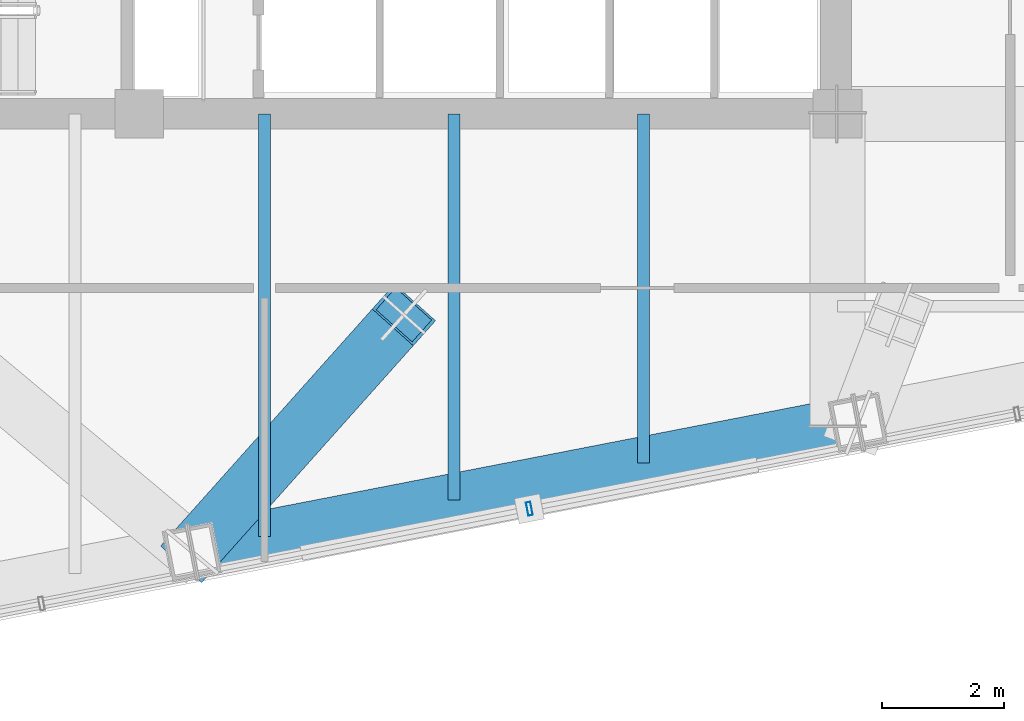
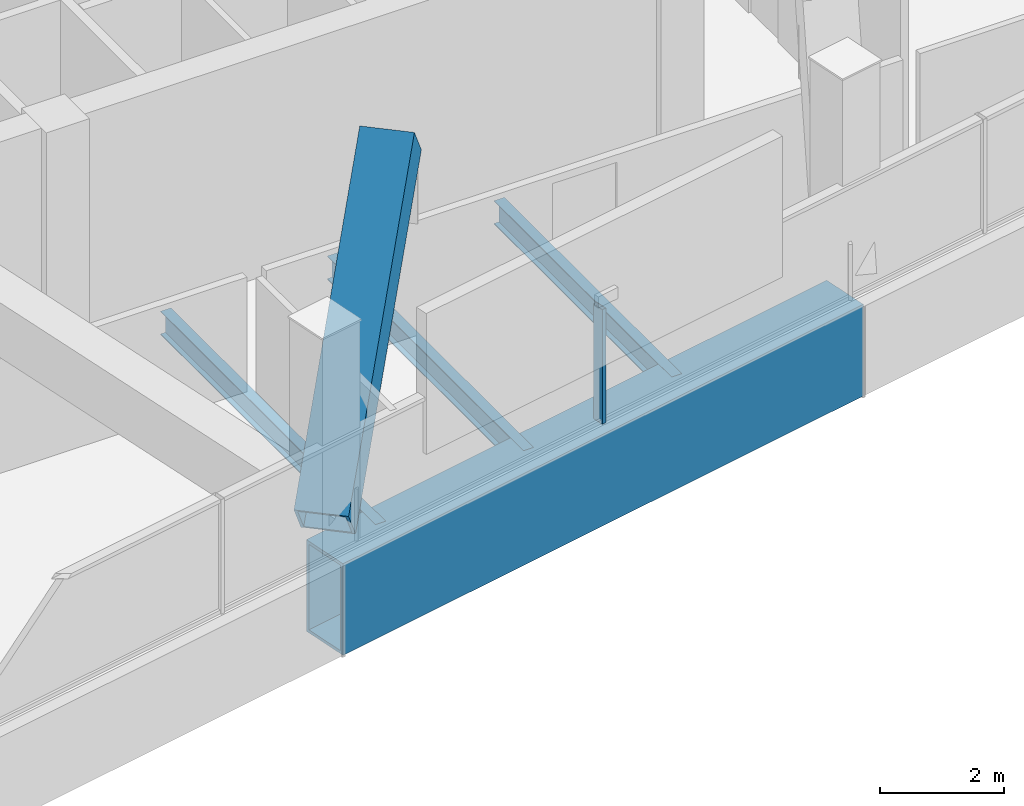
# One storey, part 4 of 26: 4 beams, 2 members, 1 element without a shape of its own.
"""IFC4 building model written with IfcOpenShell, lengths in metres."""

from ifc_helpers import new_model, si_unit, direction, frame, origin, origin_2d, place, context, subcontext, project, spatial, hollow_rectangle, i_section, extrude, material, layer, layer_set, material_profile, profile_set, type_object, element, aggregate, save


model = new_model("IFC4")

# Units and contexts
model_context = context("Model", 3, precision=1e-05, world=origin(), true_north=direction((0.0, 1.0)))
body_context = subcontext(model_context, "Body", "Model", "MODEL_VIEW")
ifc_project = project(units=[si_unit("LENGTHUNIT", "METRE"), si_unit("AREAUNIT", "SQUARE_METRE"), si_unit("VOLUMEUNIT", "CUBIC_METRE"), si_unit("PLANEANGLEUNIT", "RADIAN"), si_unit("MASSUNIT", "GRAM", prefix="KILO")], contexts=[model_context])

# Site, building, storey
site_placement = place(None, origin())
site = spatial("IfcSite", under=ifc_project, at=site_placement, CompositionType="ELEMENT")
building_placement = place(site_placement, origin())
building = spatial("IfcBuilding", under=site, at=building_placement, Name="Qhalaya Broadcast Tower", CompositionType="ELEMENT")
storey_placement = place(building_placement, frame((0.0, 0.0, 140.25)))
storey = spatial("IfcBuildingStorey", under=building, at=storey_placement, Name="L41", CompositionType="ELEMENT", Elevation=140.25)

# Beams
ifc_material_1 = material(Name="Structural Steel ASTM A572 Grade 50", Category="steel")
ifc_material_profile_1 = material_profile(ifc_material_1, hollow_rectangle(XDim=0.89990234375, YDim=1.800048828125, WallThickness=0.06005859375, at=origin_2d()), Name="BOX 900x1800x60")
ifc_profile_set_1 = profile_set([ifc_material_profile_1], Name="Structural Steel ASTM A572 Grade 50")
beam_type_1 = type_object("IfcBeamType", Name="Block Cantilever Transfer Box Girder TG1", PredefinedType="USERDEFINED", material=ifc_profile_set_1)
beam_1_placement = place(storey_placement, frame((-1.183349609375, -15.91845703125, -1.1201171875), z_axis=(0.981623859527, 0.190826094673, 0.0), x_axis=(-0.190826094673, 0.981623859527, 0.0)))
element("IfcBeam", 1, at=beam_1_placement, inside=storey, type_object=beam_type_1, Name="L41 TG1 L41-SPR-02", ObjectType="GIRDER", PredefinedType="USERDEFINED", context=body_context, shape_type="SweptSolid", body=[
    extrude(hollow_rectangle(XDim=0.89990234375, YDim=1.800048828125, WallThickness=0.06005859375, at=origin_2d()), origin(), (0.0, 0.0, 1.0), 11.099853515625),
])
ifc_material_2 = material(Name="Structural Steel ASTM A992 Grade 50", Category="steel")
ifc_material_profile_2 = material_profile(ifc_material_2, i_section(OverallWidth=0.19189453125, OverallDepth=0.462890625, WebThickness=0.010498046875, FlangeThickness=0.017578125, at=origin_2d()), Name="W18X60")
ifc_profile_set_2 = profile_set([ifc_material_profile_2], Name="Structural Steel ASTM A992 Grade 50")
beam_type_2 = type_object("IfcBeamType", Name="Composite Floor Joist J03", PredefinedType="JOIST", material=ifc_profile_set_2)
beam_2_placement = place(storey_placement, frame((0.0, -15.66796875, -0.451416015625), z_axis=(0.0, 1.0, 0.0), x_axis=(-1.0, 0.0, 0.0)))
element("IfcBeam", 2, at=beam_2_placement, inside=storey, type_object=beam_type_2, Name="L41 J03 L41-JNS3-1", PredefinedType="JOIST", context=body_context, shape_type="SweptSolid", body=[
    extrude(i_section(OverallWidth=0.19189453125, OverallDepth=0.462890625, WebThickness=0.010498046875, FlangeThickness=0.017578125, at=origin_2d()), origin(), (0.0, 0.0, 1.0), 6.91796875),
])
beam_3_placement = place(storey_placement, frame((3.10009765625, -15.0654296875, -0.451416015625), z_axis=(0.0, 1.0, 0.0), x_axis=(-1.0, 0.0, 0.0)))
element("IfcBeam", 3, at=beam_3_placement, inside=storey, type_object=beam_type_2, Name="L41 J03 L41-JNS4-1", PredefinedType="JOIST", context=body_context, shape_type="SweptSolid", body=[
    extrude(i_section(OverallWidth=0.19189453125, OverallDepth=0.462890625, WebThickness=0.010498046875, FlangeThickness=0.017578125, at=origin_2d()), origin(), (0.0, 0.0, 1.0), 6.3154296875),
])
beam_4_placement = place(storey_placement, frame((6.199951171875, -14.462890625, -0.451416015625), z_axis=(0.0, 1.0, 0.0), x_axis=(-1.0, 0.0, 0.0)))
element("IfcBeam", 4, at=beam_4_placement, inside=storey, type_object=beam_type_2, Name="L41 J03 L41-JNS5-1", PredefinedType="JOIST", context=body_context, shape_type="SweptSolid", body=[
    extrude(i_section(OverallWidth=0.19189453125, OverallDepth=0.462890625, WebThickness=0.010498046875, FlangeThickness=0.017578125, at=origin_2d()), origin(), (0.0, 0.0, 1.0), 5.712890625),
])

# Member
ifc_material_profile_3 = material_profile(ifc_material_1, hollow_rectangle(XDim=0.89990234375, YDim=0.89990234375, WallThickness=0.054931640625, at=origin_2d()), Name="BOX 900x900x55")
ifc_profile_set_3 = profile_set([ifc_material_profile_3], Name="Structural Steel ASTM A572 Grade 50")
member_type_1 = type_object("IfcMemberType", Name="Heavy Exoskeleton Transfer Strut RK1", PredefinedType="BRACE", material=ifc_profile_set_3)
member_1_placement = place(storey_placement, frame((-1.183349609375, -15.91845703125, 0.3671875), z_axis=(0.528771275911, 0.592137352962, 0.608090694714), x_axis=(-0.745889340784, 0.666069884701, 0.0)))
element("IfcMember", 5, at=member_1_placement, inside=storey, type_object=member_type_1, Name="L41 Inclined Exoskeleton Transfer Strut 03", PredefinedType="BRACE", context=body_context, shape_type="SweptSolid", body=[
    extrude(hollow_rectangle(XDim=0.89990234375, YDim=0.89990234375, WallThickness=0.054931640625, at=origin_2d()), origin(), (0.0, 0.0, 1.0), 6.5498046875),
])

# Curtain wall, member
ifc_material_3 = material(Name="Fired Architectural Terracotta", Category="masonry")
ifc_layer = layer(ifc_material_3, 0.219970703125, Name="Fired Architectural Terracotta")
ifc_layer_set = layer_set([ifc_layer], Name="Fired Architectural Terracotta")
curtain_wall_type = type_object("IfcCurtainWallType", Name="Block-Cap Unitised Terracotta Spandrel Wall CW-07", PredefinedType="NOTDEFINED", material=ifc_layer_set)
curtain_wall_placement = place(storey_placement, origin())
curtain_wall = element("IfcCurtainWall", 6, at=curtain_wall_placement, inside=storey, type_object=curtain_wall_type, Name="L41 Unitised Curtain Wall L41-CW-S", PredefinedType="NOTDEFINED")
ifc_material_4 = material(Name="Anodised Aluminium 6063-T6", Category="aluminium")
ifc_material_profile_4 = material_profile(ifc_material_4, hollow_rectangle(XDim=0.074951171875, YDim=0.219970703125, WallThickness=0.00390625, at=origin_2d()), Name="ALU-MUL 75x220x4")
ifc_profile_set_4 = profile_set([ifc_material_profile_4], Name="Anodised Aluminium 6063-T6")
member_type_2 = type_object("IfcMemberType", Name="Unitised Curtain-Wall Mullion M01", PredefinedType="MULLION", material=ifc_profile_set_4)
member_2_placement = place(storey_placement, frame((4.333251953125, -15.212646484375, 0.0), z_axis=(0.0, 0.0, 1.0), x_axis=(-0.981626973255, -0.190810076719, 0.0)))
member_2 = element("IfcMember", 7, at=member_2_placement, type_object=member_type_2, Name="CW-07 mullion 3", PredefinedType="MULLION", context=body_context, shape_type="SweptSolid", body=[
    extrude(hollow_rectangle(XDim=0.074951171875, YDim=0.219970703125, WallThickness=0.00390625, at=origin_2d()), origin(), (0.0, 0.0, 1.0), 2.25),
])
aggregate(curtain_wall, [member_2])

save(model, "model.ifc")
